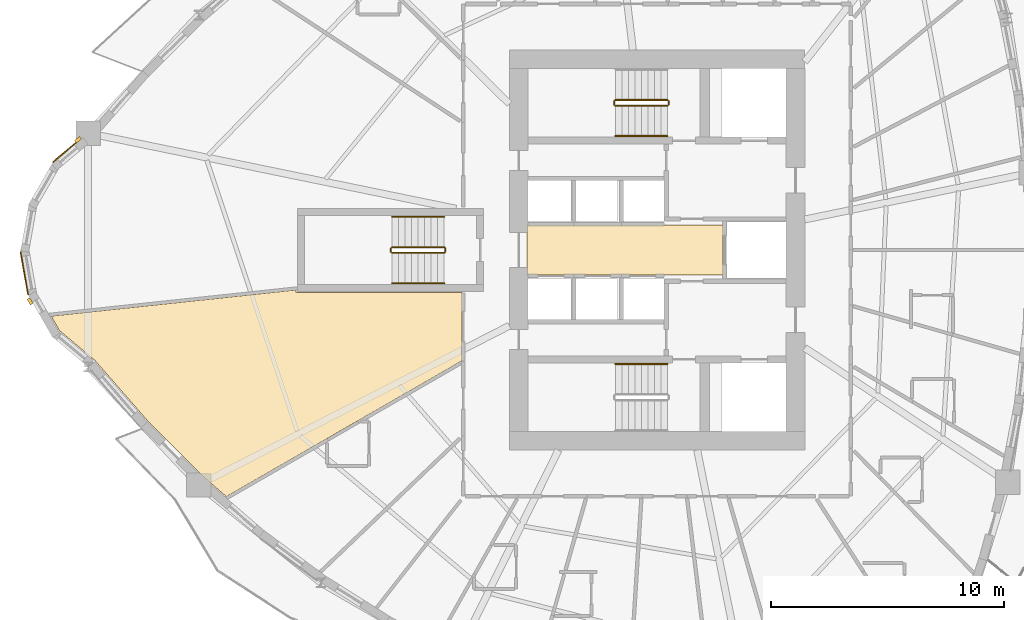
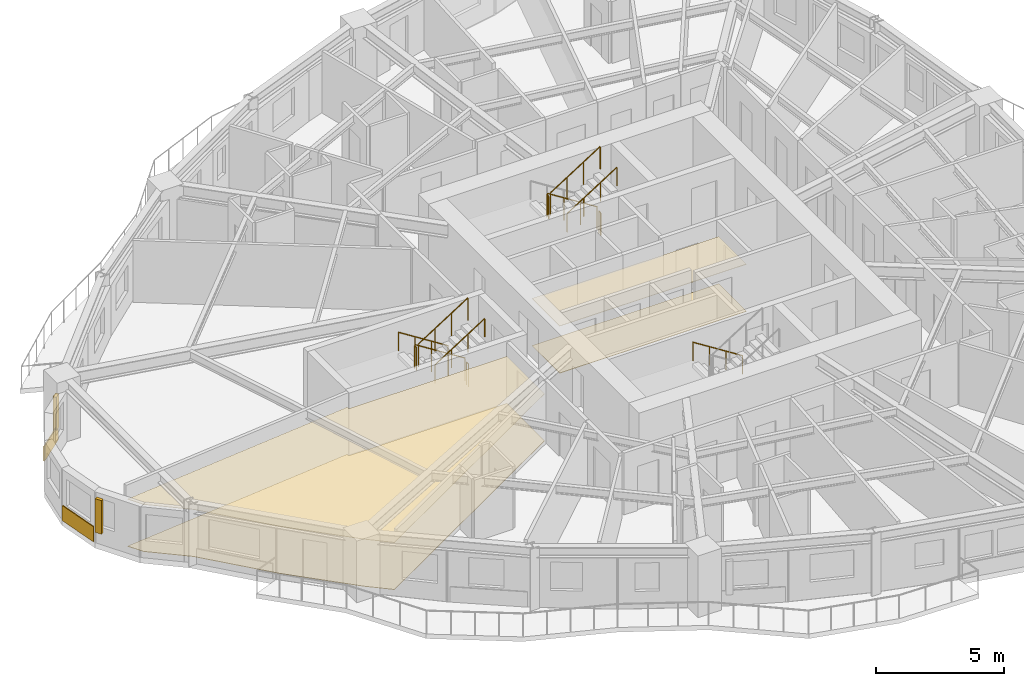
# One storey, part 12 of 14: 12 railings, 6 coverings, 2 shading devices.
"""IFC4 building model written with IfcOpenShell, lengths in metres."""

from ifc_helpers import new_model, si_unit, direction, frame, origin, origin_2d, place, context, subcontext, project, spatial, polyline, rectangle, circle, outline, extrude, source, transform, mapped, material, layer, layer_set, type_object, element, save


model = new_model("IFC4")

# Units and contexts
model_context = context("Model", 3, precision=1e-05, world=origin(), true_north=direction((0.0, 1.0)))
body_context = subcontext(model_context, "Body", "Model", "MODEL_VIEW")
ifc_project = project(units=[si_unit("LENGTHUNIT", "METRE"), si_unit("AREAUNIT", "SQUARE_METRE"), si_unit("VOLUMEUNIT", "CUBIC_METRE"), si_unit("PLANEANGLEUNIT", "RADIAN"), si_unit("MASSUNIT", "GRAM", prefix="KILO")], contexts=[model_context])

# Site, building, storey
site_placement = place(None, origin())
site = spatial("IfcSite", under=ifc_project, at=site_placement, CompositionType="ELEMENT")
building_placement = place(site_placement, origin())
building = spatial("IfcBuilding", under=site, at=building_placement, Name="Qafzar Sky-Pleat Residences", CompositionType="ELEMENT")
storey_placement = place(building_placement, frame((0.0, 0.0, 11.0)))
storey = spatial("IfcBuildingStorey", under=building, at=storey_placement, Name="L02", CompositionType="ELEMENT", Elevation=11.0)

# Coverings
ifc_material_1 = material(Name="Perforated acoustic gypsum board ceiling")
ifc_layer_1 = layer(ifc_material_1, 0.02001953125)
ifc_layer_set_1 = layer_set([ifc_layer_1], Name="Perforated acoustic gypsum board ceiling")
covering_type_1 = type_object("IfcCoveringType", Name="COV-CEIL-ACOUSTIC", PredefinedType="CEILING", material=ifc_layer_set_1)
covering_1_placement = place(storey_placement, frame((0.0, 0.0, 2.239990234375)))
element("IfcCovering", 1, at=covering_1_placement, inside=storey, type_object=covering_type_1, Name="L02 Passenger Lift Lobby Acoustic Ceiling", PredefinedType="CEILING", context=body_context, shape_type="SweptSolid", body=[
    extrude(outline(polyline([(33.179931640625, 24.919921875), (24.77001953125, 24.919921875), (24.77001953125, 27.080078125), (33.179931640625, 27.080078125), (33.179931640625, 24.919921875)])), origin(), (0.0, 0.0, 1.0), 0.02001953125),
])
covering_2_placement = place(storey_placement, frame((0.0, 0.0, 2.239990234375)))
element("IfcCovering", 2, at=covering_2_placement, inside=storey, type_object=covering_type_1, Name="L02 Resident Atrium Foyer Acoustic Ceiling", PredefinedType="CEILING", context=body_context, shape_type="SweptSolid", body=[
    extrude(outline(polyline([(10.921142578125, 16.194091796875), (8.50341796875, 18.602783203125), (6.180908203125, 21.263427734375), (4.668212890625, 22.532958984375), (4.30615234375, 23.159912109375), (14.840087890625, 24.2841796875), (14.840087890625, 24.1650390625), (21.9599609375, 24.1650390625), (21.9599609375, 21.2353515625), (11.83837890625, 15.403564453125), (10.921142578125, 16.194091796875)])), origin(), (0.0, 0.0, 1.0), 0.02001953125),
])
ifc_material_2 = material(Name="Honed porcelain and Riyadh stone tile flooring", Category="masonry")
ifc_layer_2 = layer(ifc_material_2, 0.02001953125)
ifc_layer_set_2 = layer_set([ifc_layer_2], Name="Honed porcelain and Riyadh stone tile flooring")
covering_type_2 = type_object("IfcCoveringType", Name="COV-FLR-PORCELAIN", PredefinedType="FLOORING", material=ifc_layer_set_2)
covering_3_placement = place(storey_placement, origin())
element("IfcCovering", 3, at=covering_3_placement, inside=storey, type_object=covering_type_2, Name="L02 Passenger Lift Lobby Honed Stone Flooring", PredefinedType="FLOORING", context=body_context, shape_type="SweptSolid", body=[
    extrude(outline(polyline([(33.179931640625, 24.919921875), (24.77001953125, 24.919921875), (24.77001953125, 27.080078125), (33.179931640625, 27.080078125), (33.179931640625, 24.919921875)])), origin(), (0.0, 0.0, 1.0), 0.02001953125),
])
covering_4_placement = place(storey_placement, origin())
element("IfcCovering", 4, at=covering_4_placement, inside=storey, type_object=covering_type_2, Name="L02 Resident Atrium Foyer Honed Stone Flooring", PredefinedType="FLOORING", context=body_context, shape_type="SweptSolid", body=[
    extrude(outline(polyline([(10.921142578125, 16.194091796875), (8.50341796875, 18.602783203125), (6.180908203125, 21.263427734375), (4.668212890625, 22.532958984375), (4.30615234375, 23.159912109375), (14.840087890625, 24.2841796875), (14.840087890625, 24.1650390625), (21.9599609375, 24.1650390625), (21.9599609375, 21.2353515625), (11.83837890625, 15.403564453125), (10.921142578125, 16.194091796875)])), origin(), (0.0, 0.0, 1.0), 0.02001953125),
])
ifc_material_3 = material(Name="Honed Riyadh Tuwaiq limestone cladding", Category="masonry")
ifc_layer_3 = layer(ifc_material_3, 0.044921875)
ifc_layer_set_3 = layer_set([ifc_layer_3], Name="Honed Riyadh Tuwaiq limestone cladding")
covering_type_3 = type_object("IfcCoveringType", Name="COV-CLAD-STONE", PredefinedType="CLADDING", material=ifc_layer_set_3)
shared_shape_1 = source(origin(), body_context, "Body", "SweptSolid", [
    extrude(rectangle(XDim=1.5771484375, YDim=0.044921875, at=origin_2d()), origin(), (0.0, 0.0, 1.0), 0.719970703125),
])
covering_5_placement = place(storey_placement, frame((4.98486328125, 30.28369140625, 0.02001953125), z_axis=(0.0, 0.0, 1.0), x_axis=(-0.766074606481, -0.642751660678, 0.0)))
element("IfcCovering", 5, at=covering_5_placement, inside=storey, type_object=covering_type_3, Name="L02 Riyadh Limestone Spandrel Cladding 1", PredefinedType="CLADDING", context=body_context, shape_type="MappedRepresentation", body=[
    mapped(shared_shape_1, transform((0.0, 0.0, 0.0), x_axis=(1.0, 0.0, 0.0), y_axis=(0.0, 1.0, 0.0), z_axis=(0.0, 0.0, 1.0), scale=1.0)),
])

# Shading devices
ifc_material_4 = material(Name="Honed Riyadh limestone solar fin", Category="masonry")
ifc_layer_4 = layer(ifc_material_4, 0.139892578125)
ifc_layer_set_4 = layer_set([ifc_layer_4], Name="Honed Riyadh limestone solar fin")
shading_device_type = type_object("IfcShadingDeviceType", Name="SHD-FIN-STONE", PredefinedType="SHUTTER", material=ifc_layer_set_4)
shared_shape_2 = source(origin(), body_context, "Body", "SweptSolid", [
    extrude(rectangle(XDim=0.139892578125, YDim=0.280029296875, at=origin_2d()), origin(), (0.0, 0.0, 1.0), 1.60009765625),
])
for number, where, z_axis, x_axis, name in (
    (6, (5.462890625, 30.740966796875, 0.599853515625), (0.0, 0.0, 1.0), (-0.642754210861, 0.76607246682, 0.0), "L02 Limestone Solar Fin 1"),
    (7, (3.40087890625, 23.7978515625, 0.599853515625), (0.0, 0.0, 1.0), (-0.86604422228, -0.499967403994, 0.0), "L02 Limestone Solar Fin 5"),
):
    element("IfcShadingDevice", number, at=place(storey_placement, frame(where, z_axis=z_axis, x_axis=x_axis)), inside=storey, type_object=shading_device_type, Name=name, PredefinedType="SHUTTER", context=body_context, shape_type="MappedRepresentation", body=[
        mapped(shared_shape_2, transform((0.0, 0.0, 0.0), x_axis=(1.0, 0.0, 0.0), y_axis=(0.0, 1.0, 0.0), z_axis=(0.0, 0.0, 1.0), scale=1.0)),
    ])

# Covering
shared_shape_3 = source(origin(), body_context, "Body", "SweptSolid", [
    extrude(rectangle(XDim=1.88134765625, YDim=0.044921875, at=origin_2d()), origin(), (0.0, 0.0, 1.0), 0.719970703125),
])
covering_6_placement = place(storey_placement, frame((3.1533203125, 25.00439453125, 0.02001953125), z_axis=(0.0, 0.0, 1.0), x_axis=(0.173662519465, -0.984805224059, 0.0)))
element("IfcCovering", 8, at=covering_6_placement, inside=storey, type_object=covering_type_3, Name="L02 Riyadh Limestone Spandrel Cladding 4", PredefinedType="CLADDING", context=body_context, shape_type="MappedRepresentation", body=[
    mapped(shared_shape_3, transform((0.0, 0.0, 0.0), x_axis=(1.0, 0.0, 0.0), y_axis=(0.0, 1.0, 0.0), z_axis=(0.0, 0.0, 1.0), scale=1.0)),
])

# Railings
ifc_material_5 = material(Name="Painted Steel S355 stair guardrail", Category="steel")
railing_type_1 = type_object("IfcRailingType", Name="RAIL-STAIR-GUARD", PredefinedType="GUARDRAIL", material=ifc_material_5)
shared_shape_4 = source(origin(), body_context, "Body", "SweptSolid", [
    extrude(circle(Radius=0.02392578125, at=origin_2d()), frame((0.0, 0.0, 1.076171875), z_axis=(0.0, -1.0, 0.0), x_axis=(1.0, 0.0, 0.0)), (0.0, 0.0, 1.0), 0.14990234375),
    extrude(circle(Radius=0.02099609375, at=origin_2d()), origin(), (0.0, 0.0, 1.0), 1.052001953125),
    extrude(circle(Radius=0.02099609375, at=origin_2d()), frame((0.0, -0.14990234375, 0.0)), (0.0, 0.0, 1.0), 1.052001953125),
])
for number, where, name in (
    (9, (28.510009765625, 32.39990234375, 1.60009765625), "L02 ST2 stair guard 2"),
    (10, (30.85009765625, 32.39990234375, 0.0), "L02 ST2 stair guard 4"),
    (11, (18.909912109375, 26.074951171875, 1.60009765625), "L02 ST3 stair guard 2"),
    (12, (21.25, 26.074951171875, 0.0), "L02 ST3 stair guard 4"),
):
    element("IfcRailing", number, at=place(storey_placement, frame(where)), inside=storey, type_object=railing_type_1, Name=name, PredefinedType="GUARDRAIL", context=body_context, shape_type="MappedRepresentation", body=[
        mapped(shared_shape_4, transform((0.0, 0.0, 0.0), x_axis=(1.0, 0.0, 0.0), y_axis=(0.0, 1.0, 0.0), z_axis=(0.0, 0.0, 1.0), scale=1.0)),
    ])
shared_shape_5 = source(origin(), body_context, "Body", "SweptSolid", [
    extrude(circle(Radius=0.02392578125, at=origin_2d()), frame((0.0, 0.0, 1.076171875), z_axis=(0.8442293374, 0.0, 0.53598211339), x_axis=(0.0, 1.0, 0.0)), (0.0, 0.0, 1.0), 2.6533203125),
    extrude(circle(Radius=0.02099609375, at=origin_2d()), origin(), (0.0, 0.0, 1.0), 1.052001953125),
    extrude(circle(Radius=0.02099609375, at=origin_2d()), frame((0.74658203125, 0.0, 0.47412109375)), (0.0, 0.0, 1.0), 1.052001953125),
    extrude(circle(Radius=0.02099609375, at=origin_2d()), frame((1.493408203125, 0.0, 0.947998046875)), (0.0, 0.0, 1.0), 1.052001953125),
    extrude(circle(Radius=0.02099609375, at=origin_2d()), frame((2.239990234375, 0.0, 1.422119140625)), (0.0, 0.0, 1.0), 1.052001953125),
])
for number, where, name in (
    (13, (28.56005859375, 32.199951171875, 1.77783203125), "L02 ST2 stair guard 3"),
    (14, (18.9599609375, 25.875, 1.77783203125), "L02 ST3 stair guard 3"),
):
    element("IfcRailing", number, at=place(storey_placement, frame(where)), inside=storey, type_object=railing_type_1, Name=name, PredefinedType="GUARDRAIL", context=body_context, shape_type="MappedRepresentation", body=[
        mapped(shared_shape_5, transform((0.0, 0.0, 0.0), x_axis=(1.0, 0.0, 0.0), y_axis=(0.0, 1.0, 0.0), z_axis=(0.0, 0.0, 1.0), scale=1.0)),
    ])
ifc_material_6 = material(Name="Brushed stainless steel handrail", Category="steel")
railing_type_2 = type_object("IfcRailingType", Name="RAIL-STAIR-HAND", PredefinedType="HANDRAIL", material=ifc_material_6)
shared_shape_6 = source(origin(), body_context, "Body", "SweptSolid", [
    extrude(circle(Radius=0.02392578125, at=origin_2d()), frame((0.0, 0.0, 0.8759765625), z_axis=(0.8442293374, 0.0, 0.53598211339), x_axis=(0.0, 1.0, 0.0)), (0.0, 0.0, 1.0), 2.6533203125),
    extrude(circle(Radius=0.02099609375, at=origin_2d()), origin(), (0.0, 0.0, 1.0), 0.851806640625),
    extrude(circle(Radius=0.02099609375, at=origin_2d()), frame((0.74658203125, 0.0, 0.47412109375)), (0.0, 0.0, 1.0), 0.851806640625),
    extrude(circle(Radius=0.02099609375, at=origin_2d()), frame((1.493408203125, 0.0, 0.947998046875)), (0.0, 0.0, 1.0), 0.851806640625),
    extrude(circle(Radius=0.02099609375, at=origin_2d()), frame((2.239990234375, 0.0, 1.422119140625)), (0.0, 0.0, 1.0), 0.851806640625),
])
for number, where, name in (
    (15, (28.56005859375, 30.89990234375, 1.77783203125), "L02 ST2 stair handrail 2"),
    (16, (18.9599609375, 24.574951171875, 1.77783203125), "L02 ST3 stair handrail 2"),
):
    element("IfcRailing", number, at=place(storey_placement, frame(where)), inside=storey, type_object=railing_type_2, Name=name, PredefinedType="HANDRAIL", context=body_context, shape_type="MappedRepresentation", body=[
        mapped(shared_shape_6, transform((0.0, 0.0, 0.0), x_axis=(1.0, 0.0, 0.0), y_axis=(0.0, 1.0, 0.0), z_axis=(0.0, 0.0, 1.0), scale=1.0)),
    ])
shared_shape_7 = source(origin(), body_context, "Body", "SweptSolid", [
    extrude(circle(Radius=0.02392578125, at=origin_2d()), frame((0.0, 0.0, 1.076171875), z_axis=(-0.84418770128, 0.0, 0.536047689118), x_axis=(0.0, -1.0, 0.0)), (0.0, 0.0, 1.0), 2.6533203125),
    extrude(circle(Radius=0.02099609375, at=origin_2d()), origin(), (0.0, 0.0, 1.0), 1.052001953125),
    extrude(circle(Radius=0.02099609375, at=origin_2d()), frame((-0.74658203125, 0.0, 0.47412109375)), (0.0, 0.0, 1.0), 1.052001953125),
    extrude(circle(Radius=0.02099609375, at=origin_2d()), frame((-1.493408203125, 0.0, 0.9482421875)), (0.0, 0.0, 1.0), 1.052001953125),
    extrude(circle(Radius=0.02099609375, at=origin_2d()), frame((-2.239990234375, 0.0, 1.42236328125)), (0.0, 0.0, 1.0), 1.052001953125),
])
for number, where, name in (
    (17, (30.800048828125, 32.449951171875, 0.177734375), "L02 ST2 stair guard 1"),
    (18, (21.199951171875, 26.125, 0.177734375), "L02 ST3 stair guard 1"),
):
    element("IfcRailing", number, at=place(storey_placement, frame(where)), inside=storey, type_object=railing_type_1, Name=name, PredefinedType="GUARDRAIL", context=body_context, shape_type="MappedRepresentation", body=[
        mapped(shared_shape_7, transform((0.0, 0.0, 0.0), x_axis=(1.0, 0.0, 0.0), y_axis=(0.0, 1.0, 0.0), z_axis=(0.0, 0.0, 1.0), scale=1.0)),
    ])
shared_shape_8 = source(origin(), body_context, "Body", "SweptSolid", [
    extrude(circle(Radius=0.02392578125, at=origin_2d()), frame((0.0, 0.0, 0.8759765625), z_axis=(-0.84418770128, 0.0, 0.536047689118), x_axis=(0.0, -1.0, 0.0)), (0.0, 0.0, 1.0), 2.6533203125),
    extrude(circle(Radius=0.02099609375, at=origin_2d()), origin(), (0.0, 0.0, 1.0), 0.851806640625),
    extrude(circle(Radius=0.02099609375, at=origin_2d()), frame((-0.74658203125, 0.0, 0.47412109375)), (0.0, 0.0, 1.0), 0.851806640625),
    extrude(circle(Radius=0.02099609375, at=origin_2d()), frame((-1.493408203125, 0.0, 0.9482421875)), (0.0, 0.0, 1.0), 0.851806640625),
    extrude(circle(Radius=0.02099609375, at=origin_2d()), frame((-2.239990234375, 0.0, 1.42236328125)), (0.0, 0.0, 1.0), 0.851806640625),
])
for number, where, name in (
    (19, (30.800048828125, 21.10009765625, 0.177734375), "L02 ST1 stair handrail 1"),
    (20, (21.199951171875, 27.425048828125, 0.177734375), "L02 ST3 stair handrail 1"),
):
    element("IfcRailing", number, at=place(storey_placement, frame(where)), inside=storey, type_object=railing_type_2, Name=name, PredefinedType="HANDRAIL", context=body_context, shape_type="MappedRepresentation", body=[
        mapped(shared_shape_8, transform((0.0, 0.0, 0.0), x_axis=(1.0, 0.0, 0.0), y_axis=(0.0, 1.0, 0.0), z_axis=(0.0, 0.0, 1.0), scale=1.0)),
    ])

save(model, "model.ifc")
